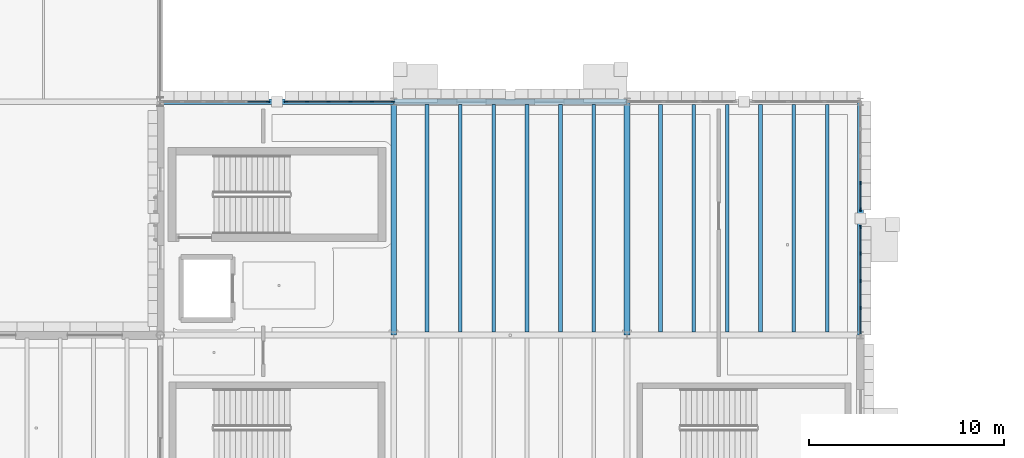
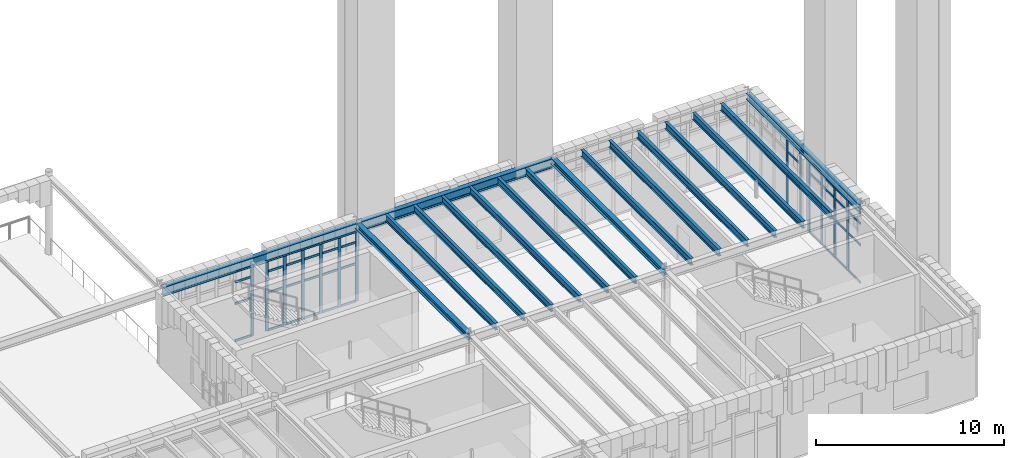
# One storey, part 37 of 103: 56 members, 17 beams, 4 elements without a shape of their own.
"""IFC4 building model written with IfcOpenShell, lengths in metres."""

from ifc_helpers import new_model, si_unit, direction, frame, origin, origin_2d, place, context, subcontext, project, spatial, rectangle, i_section, extrude, material, layer, layer_set, material_profile, profile_set, type_object, element, aggregate, save


model = new_model("IFC4")

# Units and contexts
model_context = context("Model", 3, precision=1e-05, world=origin(), true_north=direction((0.0, 1.0)))
body_context = subcontext(model_context, "Body", "Model", "MODEL_VIEW")
ifc_project = project(units=[si_unit("LENGTHUNIT", "METRE"), si_unit("AREAUNIT", "SQUARE_METRE"), si_unit("VOLUMEUNIT", "CUBIC_METRE"), si_unit("PLANEANGLEUNIT", "RADIAN"), si_unit("MASSUNIT", "GRAM", prefix="KILO")], contexts=[model_context])

# Site, building, storey
site_placement = place(None, origin())
site = spatial("IfcSite", under=ifc_project, at=site_placement, CompositionType="ELEMENT")
building_placement = place(site_placement, origin())
building = spatial("IfcBuilding", under=site, at=building_placement, Name="Zlatogorsky Bluff Art Gallery", CompositionType="ELEMENT")
storey_placement = place(building_placement, origin())
storey = spatial("IfcBuildingStorey", under=building, at=storey_placement, Name="L00", CompositionType="ELEMENT", Elevation=0.0)

# Beams
ifc_material_1 = material(Name="Steel S355", Category="steel")
ifc_material_profile_1 = material_profile(ifc_material_1, i_section(OverallWidth=0.300048828125, OverallDepth=0.590087890625, WebThickness=0.012939453125, FlangeThickness=0.02490234375, FilletRadius=0.027099609375, at=origin_2d()), Name="HEA 600")
ifc_profile_set_1 = profile_set([ifc_material_profile_1], Name="Steel S355")
beam_type_1 = type_object("IfcBeamType", Name="Beam BM-05 HEA 600", PredefinedType="BEAM", material=ifc_profile_set_1)
for number, where, z_axis, x_axis, name in (
    (1, (120.014892578125, 108.0, 4.844970703125), (1.0, 0.0, 0.0), (0.0, 1.0, 0.0), "Primary girder BM-05 L00 L-M/11"),
    (2, (132.014892578125, 108.0, 4.844970703125), (1.0, 0.0, 0.0), (0.0, 1.0, 0.0), "Primary girder BM-05 L00 M-N/11"),
):
    element("IfcBeam", number, at=place(storey_placement, frame(where, z_axis=z_axis, x_axis=x_axis)), inside=storey, type_object=beam_type_1, Name=name, PredefinedType="BEAM", context=body_context, shape_type="SweptSolid", body=[
        extrude(i_section(OverallWidth=0.300048828125, OverallDepth=0.590087890625, WebThickness=0.012939453125, FlangeThickness=0.02490234375, FilletRadius=0.027099609375, at=origin_2d()), origin(), (0.0, 0.0, 1.0), 11.97021484375),
    ])
ifc_material_profile_2 = material_profile(ifc_material_1, i_section(OverallWidth=0.300048828125, OverallDepth=0.389892578125, WebThickness=0.010986328125, FlangeThickness=0.01904296875, FilletRadius=0.027099609375, at=origin_2d()), Name="HEA 400")
ifc_profile_set_2 = profile_set([ifc_material_profile_2], Name="Steel S355")
beam_type_2 = type_object("IfcBeamType", Name="Beam BM-09 HEA 400", PredefinedType="BEAM", material=ifc_profile_set_2)
for number, where, z_axis, x_axis, name in (
    (3, (132.0, 96.014892578125, 4.945068359375), (0.0, 1.0, 0.0), (-1.0, 0.0, 0.0), "Primary girder BM-09 L00 M/10-11"),
    (4, (144.0, 96.014892578125, 4.945068359375), (0.0, 1.0, 0.0), (-1.0, 0.0, 0.0), "Primary girder BM-09 L00 N/10-11"),
    (5, (156.0, 96.014892578125, 4.945068359375), (0.0, 1.0, 0.0), (-1.0, 0.0, 0.0), "Primary girder BM-09 L00 P/10-11"),
):
    element("IfcBeam", number, at=place(storey_placement, frame(where, z_axis=z_axis, x_axis=x_axis)), inside=storey, type_object=beam_type_2, Name=name, PredefinedType="BEAM", context=body_context, shape_type="SweptSolid", body=[
        extrude(i_section(OverallWidth=0.300048828125, OverallDepth=0.389892578125, WebThickness=0.010986328125, FlangeThickness=0.01904296875, FilletRadius=0.027099609375, at=origin_2d()), origin(), (0.0, 0.0, 1.0), 11.97021484375),
    ])
ifc_material_profile_3 = material_profile(ifc_material_1, i_section(OverallWidth=0.18994140625, OverallDepth=0.449951171875, WebThickness=0.009521484375, FlangeThickness=0.0146484375, FilletRadius=0.02099609375, at=origin_2d()), Name="IPE 450")
ifc_profile_set_3 = profile_set([ifc_material_profile_3], Name="Steel S355")
beam_type_3 = type_object("IfcBeamType", Name="Beam JS-06 IPE 450", PredefinedType="JOIST", material=ifc_profile_set_3)
for number, where, z_axis, x_axis, name in (
    (6, (133.71435546875, 96.14990234375, 4.9150390625), (0.0, 1.0, 0.0), (-1.0, 0.0, 0.0), "Composite floor joist JS-06 L00 11.09.1"),
    (7, (135.428466796875, 96.14990234375, 4.9150390625), (0.0, 1.0, 0.0), (-1.0, 0.0, 0.0), "Composite floor joist JS-06 L00 11.09.2"),
    (8, (137.142822265625, 96.14990234375, 4.9150390625), (0.0, 1.0, 0.0), (-1.0, 0.0, 0.0), "Composite floor joist JS-06 L00 11.09.3"),
    (9, (138.857177734375, 96.14990234375, 4.9150390625), (0.0, 1.0, 0.0), (-1.0, 0.0, 0.0), "Composite floor joist JS-06 L00 11.09.4"),
    (10, (140.571533203125, 96.14990234375, 4.9150390625), (0.0, 1.0, 0.0), (-1.0, 0.0, 0.0), "Composite floor joist JS-06 L00 11.09.5"),
    (11, (142.28564453125, 96.14990234375, 4.9150390625), (0.0, 1.0, 0.0), (-1.0, 0.0, 0.0), "Composite floor joist JS-06 L00 11.09.6"),
    (12, (145.71435546875, 96.14990234375, 4.9150390625), (0.0, 1.0, 0.0), (-1.0, 0.0, 0.0), "Composite floor joist JS-06 L00 12.09.1"),
    (13, (147.428466796875, 96.14990234375, 4.9150390625), (0.0, 1.0, 0.0), (-1.0, 0.0, 0.0), "Composite floor joist JS-06 L00 12.09.2"),
    (14, (149.142822265625, 96.14990234375, 4.9150390625), (0.0, 1.0, 0.0), (-1.0, 0.0, 0.0), "Composite floor joist JS-06 L00 12.09.3"),
    (15, (150.857177734375, 96.14990234375, 4.9150390625), (0.0, 1.0, 0.0), (-1.0, 0.0, 0.0), "Composite floor joist JS-06 L00 12.09.4"),
    (16, (152.571533203125, 96.14990234375, 4.9150390625), (0.0, 1.0, 0.0), (-1.0, 0.0, 0.0), "Composite floor joist JS-06 L00 12.09.5"),
    (17, (154.28564453125, 96.14990234375, 4.9150390625), (0.0, 1.0, 0.0), (-1.0, 0.0, 0.0), "Composite floor joist JS-06 L00 12.09.6"),
):
    element("IfcBeam", number, at=place(storey_placement, frame(where, z_axis=z_axis, x_axis=x_axis)), inside=storey, type_object=beam_type_3, Name=name, PredefinedType="JOIST", context=body_context, shape_type="SweptSolid", body=[
        extrude(i_section(OverallWidth=0.18994140625, OverallDepth=0.449951171875, WebThickness=0.009521484375, FlangeThickness=0.0146484375, FilletRadius=0.02099609375, at=origin_2d()), origin(), (0.0, 0.0, 1.0), 11.7001953125),
    ])

# Curtain wall, members
ifc_material_2 = material(Name="Anodised Bronze Aluminium and Low-Iron Triple Glazing", Category="aluminium")
ifc_layer_1 = layer(ifc_material_2, 0.179931640625)
ifc_layer_set_1 = layer_set([ifc_layer_1], Name="Curtain Wall CW-03")
curtain_wall_type_1 = type_object("IfcCurtainWallType", Name="Curtain Wall CW-03", PredefinedType="USERDEFINED", material=ifc_layer_set_1)
curtain_wall_1_placement = place(storey_placement, origin())
curtain_wall_1 = element("IfcCurtainWall", 18, at=curtain_wall_1_placement, inside=storey, type_object=curtain_wall_type_1, Name="Unitised curtain wall CW-03 L00 N 10.9-A", ObjectType="CURTAIN WALL", PredefinedType="USERDEFINED")
ifc_material_3 = material(Name="Anodised Bronze Aluminium", Category="aluminium")
ifc_material_profile_4 = material_profile(ifc_material_3, rectangle(XDim=0.06494140625, YDim=0.179931640625, at=origin_2d()), Name="ALU MULLION 65x180")
ifc_profile_set_4 = profile_set([ifc_material_profile_4], Name="Anodised Bronze Aluminium")
member_type_1 = type_object("IfcMemberType", Name="Curtain Mullion ML-01", PredefinedType="MULLION", material=ifc_profile_set_4)
member_1_placement = place(storey_placement, frame((131.967529296875, 108.0, 0.0), z_axis=(0.0, 0.0, 1.0), x_axis=(0.0, -1.0, 0.0)))
member_1 = element("IfcMember", 19, at=member_1_placement, type_object=member_type_1, Name="CW-03 mullion 1", PredefinedType="MULLION", context=body_context, shape_type="SweptSolid", body=[
    extrude(rectangle(XDim=0.06494140625, YDim=0.179931640625, at=origin_2d()), origin(), (0.0, 0.0, 1.0), 4.56005859375),
])
member_2_placement = place(storey_placement, frame((130.884033203125, 108.0, 0.0), z_axis=(0.0, 0.0, 1.0), x_axis=(0.0, -1.0, 0.0)))
member_2 = element("IfcMember", 20, at=member_2_placement, type_object=member_type_1, Name="CW-03 mullion 2", PredefinedType="MULLION", context=body_context, shape_type="SweptSolid", body=[
    extrude(rectangle(XDim=0.06494140625, YDim=0.179931640625, at=origin_2d()), origin(), (0.0, 0.0, 1.0), 4.56005859375),
])
member_3_placement = place(storey_placement, frame((129.76806640625, 108.0, 0.0), z_axis=(0.0, 0.0, 1.0), x_axis=(0.0, -1.0, 0.0)))
member_3 = element("IfcMember", 21, at=member_3_placement, type_object=member_type_1, Name="CW-03 mullion 3", PredefinedType="MULLION", context=body_context, shape_type="SweptSolid", body=[
    extrude(rectangle(XDim=0.06494140625, YDim=0.179931640625, at=origin_2d()), origin(), (0.0, 0.0, 1.0), 4.56005859375),
])
member_4_placement = place(storey_placement, frame((128.652099609375, 108.0, 0.0), z_axis=(0.0, 0.0, 1.0), x_axis=(0.0, -1.0, 0.0)))
member_4 = element("IfcMember", 22, at=member_4_placement, type_object=member_type_1, Name="CW-03 mullion 4", PredefinedType="MULLION", context=body_context, shape_type="SweptSolid", body=[
    extrude(rectangle(XDim=0.06494140625, YDim=0.179931640625, at=origin_2d()), origin(), (0.0, 0.0, 1.0), 4.56005859375),
])
member_5_placement = place(storey_placement, frame((127.535888671875, 108.0, 0.0), z_axis=(0.0, 0.0, 1.0), x_axis=(0.0, -1.0, 0.0)))
member_5 = element("IfcMember", 23, at=member_5_placement, type_object=member_type_1, Name="CW-03 mullion 5", PredefinedType="MULLION", context=body_context, shape_type="SweptSolid", body=[
    extrude(rectangle(XDim=0.06494140625, YDim=0.179931640625, at=origin_2d()), origin(), (0.0, 0.0, 1.0), 4.56005859375),
])
member_6_placement = place(storey_placement, frame((126.452392578125, 108.0, 0.0), z_axis=(0.0, 0.0, 1.0), x_axis=(0.0, -1.0, 0.0)))
member_6 = element("IfcMember", 24, at=member_6_placement, type_object=member_type_1, Name="CW-03 mullion 6", PredefinedType="MULLION", context=body_context, shape_type="SweptSolid", body=[
    extrude(rectangle(XDim=0.06494140625, YDim=0.179931640625, at=origin_2d()), origin(), (0.0, 0.0, 1.0), 4.56005859375),
])

# Curtain wall, member
curtain_wall_2_placement = place(storey_placement, origin())
curtain_wall_2 = element("IfcCurtainWall", 25, at=curtain_wall_2_placement, inside=storey, type_object=curtain_wall_type_1, Name="Unitised curtain wall CW-03 L00 N 10.9-B", ObjectType="CURTAIN WALL", PredefinedType="USERDEFINED")
member_7_placement = place(storey_placement, frame((125.547607421875, 108.0, 0.0), z_axis=(0.0, 0.0, 1.0), x_axis=(0.0, -1.0, 0.0)))
member_7 = element("IfcMember", 26, at=member_7_placement, type_object=member_type_1, Name="CW-03 mullion 1", PredefinedType="MULLION", context=body_context, shape_type="SweptSolid", body=[
    extrude(rectangle(XDim=0.06494140625, YDim=0.179931640625, at=origin_2d()), origin(), (0.0, 0.0, 1.0), 4.56005859375),
])

# Curtain wall, members
ifc_layer_2 = layer(ifc_material_2, 0.199951171875)
ifc_layer_set_2 = layer_set([ifc_layer_2], Name="Curtain Wall CW-02")
curtain_wall_type_2 = type_object("IfcCurtainWallType", Name="Curtain Wall CW-02", PredefinedType="USERDEFINED", material=ifc_layer_set_2)
curtain_wall_3_placement = place(storey_placement, origin())
curtain_wall_3 = element("IfcCurtainWall", 27, at=curtain_wall_3_placement, inside=storey, type_object=curtain_wall_type_2, Name="Unitised curtain wall CW-02 L00 E 12.9-A", ObjectType="CURTAIN WALL", PredefinedType="USERDEFINED")
member_8_placement = place(storey_placement, frame((156.0, 97.39501953125, 0.0), z_axis=(0.0, 0.0, 1.0), x_axis=(-1.0, 0.0, 0.0)))
member_8 = element("IfcMember", 28, at=member_8_placement, type_object=member_type_1, Name="CW-02 mullion 2", PredefinedType="MULLION", context=body_context, shape_type="SweptSolid", body=[
    extrude(rectangle(XDim=0.06494140625, YDim=0.179931640625, at=origin_2d()), origin(), (0.0, 0.0, 1.0), 4.56005859375),
])
member_9_placement = place(storey_placement, frame((156.0, 98.7900390625, 0.0), z_axis=(0.0, 0.0, 1.0), x_axis=(-1.0, 0.0, 0.0)))
member_9 = element("IfcMember", 29, at=member_9_placement, type_object=member_type_1, Name="CW-02 mullion 3", PredefinedType="MULLION", context=body_context, shape_type="SweptSolid", body=[
    extrude(rectangle(XDim=0.06494140625, YDim=0.179931640625, at=origin_2d()), origin(), (0.0, 0.0, 1.0), 4.56005859375),
])
member_10_placement = place(storey_placement, frame((156.0, 100.18505859375, 0.0), z_axis=(0.0, 0.0, 1.0), x_axis=(-1.0, 0.0, 0.0)))
member_10 = element("IfcMember", 30, at=member_10_placement, type_object=member_type_1, Name="CW-02 mullion 4", PredefinedType="MULLION", context=body_context, shape_type="SweptSolid", body=[
    extrude(rectangle(XDim=0.06494140625, YDim=0.179931640625, at=origin_2d()), origin(), (0.0, 0.0, 1.0), 4.56005859375),
])
member_11_placement = place(storey_placement, frame((156.0, 101.547607421875, 0.0), z_axis=(0.0, 0.0, 1.0), x_axis=(-1.0, 0.0, 0.0)))
member_11 = element("IfcMember", 31, at=member_11_placement, type_object=member_type_1, Name="CW-02 mullion 5", PredefinedType="MULLION", context=body_context, shape_type="SweptSolid", body=[
    extrude(rectangle(XDim=0.06494140625, YDim=0.179931640625, at=origin_2d()), origin(), (0.0, 0.0, 1.0), 4.56005859375),
])

curtain_wall_4_placement = place(storey_placement, origin())
curtain_wall_4 = element("IfcCurtainWall", 32, at=curtain_wall_4_placement, inside=storey, type_object=curtain_wall_type_2, Name="Unitised curtain wall CW-02 L00 E 12.9-B", ObjectType="CURTAIN WALL", PredefinedType="USERDEFINED")
member_12_placement = place(storey_placement, frame((156.0, 102.452392578125, 0.0), z_axis=(0.0, 0.0, 1.0), x_axis=(-1.0, 0.0, 0.0)))
member_12 = element("IfcMember", 33, at=member_12_placement, type_object=member_type_1, Name="CW-02 mullion 1", PredefinedType="MULLION", context=body_context, shape_type="SweptSolid", body=[
    extrude(rectangle(XDim=0.06494140625, YDim=0.179931640625, at=origin_2d()), origin(), (0.0, 0.0, 1.0), 4.56005859375),
])
member_13_placement = place(storey_placement, frame((156.0, 103.81494140625, 0.0), z_axis=(0.0, 0.0, 1.0), x_axis=(-1.0, 0.0, 0.0)))
member_13 = element("IfcMember", 34, at=member_13_placement, type_object=member_type_1, Name="CW-02 mullion 2", PredefinedType="MULLION", context=body_context, shape_type="SweptSolid", body=[
    extrude(rectangle(XDim=0.06494140625, YDim=0.179931640625, at=origin_2d()), origin(), (0.0, 0.0, 1.0), 4.56005859375),
])

# Member
ifc_material_profile_5 = material_profile(ifc_material_3, rectangle(XDim=0.06494140625, YDim=0.139892578125, at=origin_2d()), Name="ALU TRANSOM 65x140")
ifc_profile_set_5 = profile_set([ifc_material_profile_5], Name="Anodised Bronze Aluminium")
member_type_2 = type_object("IfcMemberType", Name="Curtain Transom TR-01", PredefinedType="USERDEFINED", material=ifc_profile_set_5)
member_14_placement = place(storey_placement, frame((131.93505859375, 108.0, 0.032470703125), z_axis=(-1.0, 0.0, 0.0), x_axis=(0.0, -1.0, 0.0)))
member_14 = element("IfcMember", 35, at=member_14_placement, type_object=member_type_2, Name="CW-03 transom 1.1", ObjectType="TRANSOM", PredefinedType="USERDEFINED", context=body_context, shape_type="SweptSolid", body=[
    extrude(rectangle(XDim=0.06494140625, YDim=0.139892578125, at=origin_2d()), origin(), (0.0, 0.0, 1.0), 1.0185546875),
])

member_15_placement = place(storey_placement, frame((131.93505859375, 108.0, 2.449951171875), z_axis=(-1.0, 0.0, 0.0), x_axis=(0.0, -1.0, 0.0)))
member_15 = element("IfcMember", 36, at=member_15_placement, type_object=member_type_2, Name="CW-03 transom 1.2", ObjectType="TRANSOM", PredefinedType="USERDEFINED", context=body_context, shape_type="SweptSolid", body=[
    extrude(rectangle(XDim=0.06494140625, YDim=0.139892578125, at=origin_2d()), origin(), (0.0, 0.0, 1.0), 1.0185546875),
])

member_16_placement = place(storey_placement, frame((131.93505859375, 108.0, 3.85009765625), z_axis=(-1.0, 0.0, 0.0), x_axis=(0.0, -1.0, 0.0)))
member_16 = element("IfcMember", 37, at=member_16_placement, type_object=member_type_2, Name="CW-03 transom 1.3", ObjectType="TRANSOM", PredefinedType="USERDEFINED", context=body_context, shape_type="SweptSolid", body=[
    extrude(rectangle(XDim=0.06494140625, YDim=0.139892578125, at=origin_2d()), origin(), (0.0, 0.0, 1.0), 1.0185546875),
])

member_17_placement = place(storey_placement, frame((131.93505859375, 108.0, 4.527587890625), z_axis=(-1.0, 0.0, 0.0), x_axis=(0.0, -1.0, 0.0)))
member_17 = element("IfcMember", 38, at=member_17_placement, type_object=member_type_2, Name="CW-03 transom 1.4", ObjectType="TRANSOM", PredefinedType="USERDEFINED", context=body_context, shape_type="SweptSolid", body=[
    extrude(rectangle(XDim=0.06494140625, YDim=0.139892578125, at=origin_2d()), origin(), (0.0, 0.0, 1.0), 1.0185546875),
])

member_18_placement = place(storey_placement, frame((130.8515625, 108.0, 0.032470703125), z_axis=(-1.0, 0.0, 0.0), x_axis=(0.0, -1.0, 0.0)))
member_18 = element("IfcMember", 39, at=member_18_placement, type_object=member_type_2, Name="CW-03 transom 2.1", ObjectType="TRANSOM", PredefinedType="USERDEFINED", context=body_context, shape_type="SweptSolid", body=[
    extrude(rectangle(XDim=0.06494140625, YDim=0.139892578125, at=origin_2d()), origin(), (0.0, 0.0, 1.0), 1.051025390625),
])

member_19_placement = place(storey_placement, frame((130.8515625, 108.0, 2.449951171875), z_axis=(-1.0, 0.0, 0.0), x_axis=(0.0, -1.0, 0.0)))
member_19 = element("IfcMember", 40, at=member_19_placement, type_object=member_type_2, Name="CW-03 transom 2.2", ObjectType="TRANSOM", PredefinedType="USERDEFINED", context=body_context, shape_type="SweptSolid", body=[
    extrude(rectangle(XDim=0.06494140625, YDim=0.139892578125, at=origin_2d()), origin(), (0.0, 0.0, 1.0), 1.051025390625),
])

member_20_placement = place(storey_placement, frame((130.8515625, 108.0, 3.85009765625), z_axis=(-1.0, 0.0, 0.0), x_axis=(0.0, -1.0, 0.0)))
member_20 = element("IfcMember", 41, at=member_20_placement, type_object=member_type_2, Name="CW-03 transom 2.3", ObjectType="TRANSOM", PredefinedType="USERDEFINED", context=body_context, shape_type="SweptSolid", body=[
    extrude(rectangle(XDim=0.06494140625, YDim=0.139892578125, at=origin_2d()), origin(), (0.0, 0.0, 1.0), 1.051025390625),
])

member_21_placement = place(storey_placement, frame((130.8515625, 108.0, 4.527587890625), z_axis=(-1.0, 0.0, 0.0), x_axis=(0.0, -1.0, 0.0)))
member_21 = element("IfcMember", 42, at=member_21_placement, type_object=member_type_2, Name="CW-03 transom 2.4", ObjectType="TRANSOM", PredefinedType="USERDEFINED", context=body_context, shape_type="SweptSolid", body=[
    extrude(rectangle(XDim=0.06494140625, YDim=0.139892578125, at=origin_2d()), origin(), (0.0, 0.0, 1.0), 1.051025390625),
])

member_22_placement = place(storey_placement, frame((129.735595703125, 108.0, 0.032470703125), z_axis=(-1.0, 0.0, 0.0), x_axis=(0.0, -1.0, 0.0)))
member_22 = element("IfcMember", 43, at=member_22_placement, type_object=member_type_2, Name="CW-03 transom 3.1", ObjectType="TRANSOM", PredefinedType="USERDEFINED", context=body_context, shape_type="SweptSolid", body=[
    extrude(rectangle(XDim=0.06494140625, YDim=0.139892578125, at=origin_2d()), origin(), (0.0, 0.0, 1.0), 1.051025390625),
])

member_23_placement = place(storey_placement, frame((129.735595703125, 108.0, 2.449951171875), z_axis=(-1.0, 0.0, 0.0), x_axis=(0.0, -1.0, 0.0)))
member_23 = element("IfcMember", 44, at=member_23_placement, type_object=member_type_2, Name="CW-03 transom 3.2", ObjectType="TRANSOM", PredefinedType="USERDEFINED", context=body_context, shape_type="SweptSolid", body=[
    extrude(rectangle(XDim=0.06494140625, YDim=0.139892578125, at=origin_2d()), origin(), (0.0, 0.0, 1.0), 1.051025390625),
])

member_24_placement = place(storey_placement, frame((129.735595703125, 108.0, 3.85009765625), z_axis=(-1.0, 0.0, 0.0), x_axis=(0.0, -1.0, 0.0)))
member_24 = element("IfcMember", 45, at=member_24_placement, type_object=member_type_2, Name="CW-03 transom 3.3", ObjectType="TRANSOM", PredefinedType="USERDEFINED", context=body_context, shape_type="SweptSolid", body=[
    extrude(rectangle(XDim=0.06494140625, YDim=0.139892578125, at=origin_2d()), origin(), (0.0, 0.0, 1.0), 1.051025390625),
])

member_25_placement = place(storey_placement, frame((129.735595703125, 108.0, 4.527587890625), z_axis=(-1.0, 0.0, 0.0), x_axis=(0.0, -1.0, 0.0)))
member_25 = element("IfcMember", 46, at=member_25_placement, type_object=member_type_2, Name="CW-03 transom 3.4", ObjectType="TRANSOM", PredefinedType="USERDEFINED", context=body_context, shape_type="SweptSolid", body=[
    extrude(rectangle(XDim=0.06494140625, YDim=0.139892578125, at=origin_2d()), origin(), (0.0, 0.0, 1.0), 1.051025390625),
])

member_26_placement = place(storey_placement, frame((128.619384765625, 108.0, 0.032470703125), z_axis=(-1.0, 0.0, 0.0), x_axis=(0.0, -1.0, 0.0)))
member_26 = element("IfcMember", 47, at=member_26_placement, type_object=member_type_2, Name="CW-03 transom 4.1", ObjectType="TRANSOM", PredefinedType="USERDEFINED", context=body_context, shape_type="SweptSolid", body=[
    extrude(rectangle(XDim=0.06494140625, YDim=0.139892578125, at=origin_2d()), origin(), (0.0, 0.0, 1.0), 1.05078125),
])

member_27_placement = place(storey_placement, frame((128.619384765625, 108.0, 2.449951171875), z_axis=(-1.0, 0.0, 0.0), x_axis=(0.0, -1.0, 0.0)))
member_27 = element("IfcMember", 48, at=member_27_placement, type_object=member_type_2, Name="CW-03 transom 4.2", ObjectType="TRANSOM", PredefinedType="USERDEFINED", context=body_context, shape_type="SweptSolid", body=[
    extrude(rectangle(XDim=0.06494140625, YDim=0.139892578125, at=origin_2d()), origin(), (0.0, 0.0, 1.0), 1.05078125),
])

member_28_placement = place(storey_placement, frame((128.619384765625, 108.0, 3.85009765625), z_axis=(-1.0, 0.0, 0.0), x_axis=(0.0, -1.0, 0.0)))
member_28 = element("IfcMember", 49, at=member_28_placement, type_object=member_type_2, Name="CW-03 transom 4.3", ObjectType="TRANSOM", PredefinedType="USERDEFINED", context=body_context, shape_type="SweptSolid", body=[
    extrude(rectangle(XDim=0.06494140625, YDim=0.139892578125, at=origin_2d()), origin(), (0.0, 0.0, 1.0), 1.05078125),
])

member_29_placement = place(storey_placement, frame((128.619384765625, 108.0, 4.527587890625), z_axis=(-1.0, 0.0, 0.0), x_axis=(0.0, -1.0, 0.0)))
member_29 = element("IfcMember", 50, at=member_29_placement, type_object=member_type_2, Name="CW-03 transom 4.4", ObjectType="TRANSOM", PredefinedType="USERDEFINED", context=body_context, shape_type="SweptSolid", body=[
    extrude(rectangle(XDim=0.06494140625, YDim=0.139892578125, at=origin_2d()), origin(), (0.0, 0.0, 1.0), 1.05078125),
])

member_30_placement = place(storey_placement, frame((127.50341796875, 108.0, 0.032470703125), z_axis=(-1.0, 0.0, 0.0), x_axis=(0.0, -1.0, 0.0)))
member_30 = element("IfcMember", 51, at=member_30_placement, type_object=member_type_2, Name="CW-03 transom 5.1", ObjectType="TRANSOM", PredefinedType="USERDEFINED", context=body_context, shape_type="SweptSolid", body=[
    extrude(rectangle(XDim=0.06494140625, YDim=0.139892578125, at=origin_2d()), origin(), (0.0, 0.0, 1.0), 1.018310546875),
])

member_31_placement = place(storey_placement, frame((127.50341796875, 108.0, 2.449951171875), z_axis=(-1.0, 0.0, 0.0), x_axis=(0.0, -1.0, 0.0)))
member_31 = element("IfcMember", 52, at=member_31_placement, type_object=member_type_2, Name="CW-03 transom 5.2", ObjectType="TRANSOM", PredefinedType="USERDEFINED", context=body_context, shape_type="SweptSolid", body=[
    extrude(rectangle(XDim=0.06494140625, YDim=0.139892578125, at=origin_2d()), origin(), (0.0, 0.0, 1.0), 1.018310546875),
])

member_32_placement = place(storey_placement, frame((127.50341796875, 108.0, 3.85009765625), z_axis=(-1.0, 0.0, 0.0), x_axis=(0.0, -1.0, 0.0)))
member_32 = element("IfcMember", 53, at=member_32_placement, type_object=member_type_2, Name="CW-03 transom 5.3", ObjectType="TRANSOM", PredefinedType="USERDEFINED", context=body_context, shape_type="SweptSolid", body=[
    extrude(rectangle(XDim=0.06494140625, YDim=0.139892578125, at=origin_2d()), origin(), (0.0, 0.0, 1.0), 1.018310546875),
])

member_33_placement = place(storey_placement, frame((127.50341796875, 108.0, 4.527587890625), z_axis=(-1.0, 0.0, 0.0), x_axis=(0.0, -1.0, 0.0)))
member_33 = element("IfcMember", 54, at=member_33_placement, type_object=member_type_2, Name="CW-03 transom 5.4", ObjectType="TRANSOM", PredefinedType="USERDEFINED", context=body_context, shape_type="SweptSolid", body=[
    extrude(rectangle(XDim=0.06494140625, YDim=0.139892578125, at=origin_2d()), origin(), (0.0, 0.0, 1.0), 1.018310546875),
])

aggregate(curtain_wall_1, [member_1, member_2, member_3, member_4, member_5, member_6, member_14, member_15, member_16, member_17, member_18, member_19, member_20, member_21, member_22, member_23, member_24, member_25, member_26, member_27, member_28, member_29, member_30, member_31, member_32, member_33])

member_34_placement = place(storey_placement, frame((125.514892578125, 108.0, 0.032470703125), z_axis=(-1.0, 0.0, 0.0), x_axis=(0.0, -1.0, 0.0)))
member_34 = element("IfcMember", 55, at=member_34_placement, type_object=member_type_2, Name="CW-03 transom 1.1", ObjectType="TRANSOM", PredefinedType="USERDEFINED", context=body_context, shape_type="SweptSolid", body=[
    extrude(rectangle(XDim=0.06494140625, YDim=0.139892578125, at=origin_2d()), origin(), (0.0, 0.0, 1.0), 1.018310546875),
])

member_35_placement = place(storey_placement, frame((125.514892578125, 108.0, 2.449951171875), z_axis=(-1.0, 0.0, 0.0), x_axis=(0.0, -1.0, 0.0)))
member_35 = element("IfcMember", 56, at=member_35_placement, type_object=member_type_2, Name="CW-03 transom 1.2", ObjectType="TRANSOM", PredefinedType="USERDEFINED", context=body_context, shape_type="SweptSolid", body=[
    extrude(rectangle(XDim=0.06494140625, YDim=0.139892578125, at=origin_2d()), origin(), (0.0, 0.0, 1.0), 1.018310546875),
])

member_36_placement = place(storey_placement, frame((125.514892578125, 108.0, 3.85009765625), z_axis=(-1.0, 0.0, 0.0), x_axis=(0.0, -1.0, 0.0)))
member_36 = element("IfcMember", 57, at=member_36_placement, type_object=member_type_2, Name="CW-03 transom 1.3", ObjectType="TRANSOM", PredefinedType="USERDEFINED", context=body_context, shape_type="SweptSolid", body=[
    extrude(rectangle(XDim=0.06494140625, YDim=0.139892578125, at=origin_2d()), origin(), (0.0, 0.0, 1.0), 1.018310546875),
])

member_37_placement = place(storey_placement, frame((125.514892578125, 108.0, 4.527587890625), z_axis=(-1.0, 0.0, 0.0), x_axis=(0.0, -1.0, 0.0)))
member_37 = element("IfcMember", 58, at=member_37_placement, type_object=member_type_2, Name="CW-03 transom 1.4", ObjectType="TRANSOM", PredefinedType="USERDEFINED", context=body_context, shape_type="SweptSolid", body=[
    extrude(rectangle(XDim=0.06494140625, YDim=0.139892578125, at=origin_2d()), origin(), (0.0, 0.0, 1.0), 1.018310546875),
])

aggregate(curtain_wall_2, [member_7, member_34, member_35, member_36, member_37])

member_38_placement = place(storey_placement, frame((156.0, 96.06494140625, 0.032470703125), z_axis=(0.0, 1.0, 0.0), x_axis=(-1.0, 0.0, 0.0)))
member_38 = element("IfcMember", 59, at=member_38_placement, type_object=member_type_2, Name="CW-02 transom 1.1", ObjectType="TRANSOM", PredefinedType="USERDEFINED", context=body_context, shape_type="SweptSolid", body=[
    extrude(rectangle(XDim=0.06494140625, YDim=0.139892578125, at=origin_2d()), origin(), (0.0, 0.0, 1.0), 1.297607421875),
])

member_39_placement = place(storey_placement, frame((156.0, 96.06494140625, 2.449951171875), z_axis=(0.0, 1.0, 0.0), x_axis=(-1.0, 0.0, 0.0)))
member_39 = element("IfcMember", 60, at=member_39_placement, type_object=member_type_2, Name="CW-02 transom 1.2", ObjectType="TRANSOM", PredefinedType="USERDEFINED", context=body_context, shape_type="SweptSolid", body=[
    extrude(rectangle(XDim=0.06494140625, YDim=0.139892578125, at=origin_2d()), origin(), (0.0, 0.0, 1.0), 1.297607421875),
])

member_40_placement = place(storey_placement, frame((156.0, 96.06494140625, 3.85009765625), z_axis=(0.0, 1.0, 0.0), x_axis=(-1.0, 0.0, 0.0)))
member_40 = element("IfcMember", 61, at=member_40_placement, type_object=member_type_2, Name="CW-02 transom 1.3", ObjectType="TRANSOM", PredefinedType="USERDEFINED", context=body_context, shape_type="SweptSolid", body=[
    extrude(rectangle(XDim=0.06494140625, YDim=0.139892578125, at=origin_2d()), origin(), (0.0, 0.0, 1.0), 1.297607421875),
])

member_41_placement = place(storey_placement, frame((156.0, 96.06494140625, 4.527587890625), z_axis=(0.0, 1.0, 0.0), x_axis=(-1.0, 0.0, 0.0)))
member_41 = element("IfcMember", 62, at=member_41_placement, type_object=member_type_2, Name="CW-02 transom 1.4", ObjectType="TRANSOM", PredefinedType="USERDEFINED", context=body_context, shape_type="SweptSolid", body=[
    extrude(rectangle(XDim=0.06494140625, YDim=0.139892578125, at=origin_2d()), origin(), (0.0, 0.0, 1.0), 1.297607421875),
])

member_42_placement = place(storey_placement, frame((156.0, 97.427490234375, 0.032470703125), z_axis=(0.0, 1.0, 0.0), x_axis=(-1.0, 0.0, 0.0)))
member_42 = element("IfcMember", 63, at=member_42_placement, type_object=member_type_2, Name="CW-02 transom 2.1", ObjectType="TRANSOM", PredefinedType="USERDEFINED", context=body_context, shape_type="SweptSolid", body=[
    extrude(rectangle(XDim=0.06494140625, YDim=0.139892578125, at=origin_2d()), origin(), (0.0, 0.0, 1.0), 1.330078125),
])

member_43_placement = place(storey_placement, frame((156.0, 97.427490234375, 2.449951171875), z_axis=(0.0, 1.0, 0.0), x_axis=(-1.0, 0.0, 0.0)))
member_43 = element("IfcMember", 64, at=member_43_placement, type_object=member_type_2, Name="CW-02 transom 2.2", ObjectType="TRANSOM", PredefinedType="USERDEFINED", context=body_context, shape_type="SweptSolid", body=[
    extrude(rectangle(XDim=0.06494140625, YDim=0.139892578125, at=origin_2d()), origin(), (0.0, 0.0, 1.0), 1.330078125),
])

member_44_placement = place(storey_placement, frame((156.0, 97.427490234375, 3.85009765625), z_axis=(0.0, 1.0, 0.0), x_axis=(-1.0, 0.0, 0.0)))
member_44 = element("IfcMember", 65, at=member_44_placement, type_object=member_type_2, Name="CW-02 transom 2.3", ObjectType="TRANSOM", PredefinedType="USERDEFINED", context=body_context, shape_type="SweptSolid", body=[
    extrude(rectangle(XDim=0.06494140625, YDim=0.139892578125, at=origin_2d()), origin(), (0.0, 0.0, 1.0), 1.330078125),
])

member_45_placement = place(storey_placement, frame((156.0, 97.427490234375, 4.527587890625), z_axis=(0.0, 1.0, 0.0), x_axis=(-1.0, 0.0, 0.0)))
member_45 = element("IfcMember", 66, at=member_45_placement, type_object=member_type_2, Name="CW-02 transom 2.4", ObjectType="TRANSOM", PredefinedType="USERDEFINED", context=body_context, shape_type="SweptSolid", body=[
    extrude(rectangle(XDim=0.06494140625, YDim=0.139892578125, at=origin_2d()), origin(), (0.0, 0.0, 1.0), 1.330078125),
])

member_46_placement = place(storey_placement, frame((156.0, 98.822509765625, 0.032470703125), z_axis=(0.0, 1.0, 0.0), x_axis=(-1.0, 0.0, 0.0)))
member_46 = element("IfcMember", 67, at=member_46_placement, type_object=member_type_2, Name="CW-02 transom 3.1", ObjectType="TRANSOM", PredefinedType="USERDEFINED", context=body_context, shape_type="SweptSolid", body=[
    extrude(rectangle(XDim=0.06494140625, YDim=0.139892578125, at=origin_2d()), origin(), (0.0, 0.0, 1.0), 1.330078125),
])

member_47_placement = place(storey_placement, frame((156.0, 98.822509765625, 2.449951171875), z_axis=(0.0, 1.0, 0.0), x_axis=(-1.0, 0.0, 0.0)))
member_47 = element("IfcMember", 68, at=member_47_placement, type_object=member_type_2, Name="CW-02 transom 3.2", ObjectType="TRANSOM", PredefinedType="USERDEFINED", context=body_context, shape_type="SweptSolid", body=[
    extrude(rectangle(XDim=0.06494140625, YDim=0.139892578125, at=origin_2d()), origin(), (0.0, 0.0, 1.0), 1.330078125),
])

member_48_placement = place(storey_placement, frame((156.0, 98.822509765625, 3.85009765625), z_axis=(0.0, 1.0, 0.0), x_axis=(-1.0, 0.0, 0.0)))
member_48 = element("IfcMember", 69, at=member_48_placement, type_object=member_type_2, Name="CW-02 transom 3.3", ObjectType="TRANSOM", PredefinedType="USERDEFINED", context=body_context, shape_type="SweptSolid", body=[
    extrude(rectangle(XDim=0.06494140625, YDim=0.139892578125, at=origin_2d()), origin(), (0.0, 0.0, 1.0), 1.330078125),
])

member_49_placement = place(storey_placement, frame((156.0, 98.822509765625, 4.527587890625), z_axis=(0.0, 1.0, 0.0), x_axis=(-1.0, 0.0, 0.0)))
member_49 = element("IfcMember", 70, at=member_49_placement, type_object=member_type_2, Name="CW-02 transom 3.4", ObjectType="TRANSOM", PredefinedType="USERDEFINED", context=body_context, shape_type="SweptSolid", body=[
    extrude(rectangle(XDim=0.06494140625, YDim=0.139892578125, at=origin_2d()), origin(), (0.0, 0.0, 1.0), 1.330078125),
])

member_50_placement = place(storey_placement, frame((156.0, 100.217529296875, 0.032470703125), z_axis=(0.0, 1.0, 0.0), x_axis=(-1.0, 0.0, 0.0)))
member_50 = element("IfcMember", 71, at=member_50_placement, type_object=member_type_2, Name="CW-02 transom 4.1", ObjectType="TRANSOM", PredefinedType="USERDEFINED", context=body_context, shape_type="SweptSolid", body=[
    extrude(rectangle(XDim=0.06494140625, YDim=0.139892578125, at=origin_2d()), origin(), (0.0, 0.0, 1.0), 1.29736328125),
])

member_51_placement = place(storey_placement, frame((156.0, 100.217529296875, 2.449951171875), z_axis=(0.0, 1.0, 0.0), x_axis=(-1.0, 0.0, 0.0)))
member_51 = element("IfcMember", 72, at=member_51_placement, type_object=member_type_2, Name="CW-02 transom 4.2", ObjectType="TRANSOM", PredefinedType="USERDEFINED", context=body_context, shape_type="SweptSolid", body=[
    extrude(rectangle(XDim=0.06494140625, YDim=0.139892578125, at=origin_2d()), origin(), (0.0, 0.0, 1.0), 1.29736328125),
])

member_52_placement = place(storey_placement, frame((156.0, 100.217529296875, 3.85009765625), z_axis=(0.0, 1.0, 0.0), x_axis=(-1.0, 0.0, 0.0)))
member_52 = element("IfcMember", 73, at=member_52_placement, type_object=member_type_2, Name="CW-02 transom 4.3", ObjectType="TRANSOM", PredefinedType="USERDEFINED", context=body_context, shape_type="SweptSolid", body=[
    extrude(rectangle(XDim=0.06494140625, YDim=0.139892578125, at=origin_2d()), origin(), (0.0, 0.0, 1.0), 1.29736328125),
])

member_53_placement = place(storey_placement, frame((156.0, 100.217529296875, 4.527587890625), z_axis=(0.0, 1.0, 0.0), x_axis=(-1.0, 0.0, 0.0)))
member_53 = element("IfcMember", 74, at=member_53_placement, type_object=member_type_2, Name="CW-02 transom 4.4", ObjectType="TRANSOM", PredefinedType="USERDEFINED", context=body_context, shape_type="SweptSolid", body=[
    extrude(rectangle(XDim=0.06494140625, YDim=0.139892578125, at=origin_2d()), origin(), (0.0, 0.0, 1.0), 1.29736328125),
])

aggregate(curtain_wall_3, [member_8, member_9, member_10, member_11, member_38, member_39, member_40, member_41, member_42, member_43, member_44, member_45, member_46, member_47, member_48, member_49, member_50, member_51, member_52, member_53])

member_54_placement = place(storey_placement, frame((156.0, 102.485107421875, 0.032470703125), z_axis=(0.0, 1.0, 0.0), x_axis=(-1.0, 0.0, 0.0)))
member_54 = element("IfcMember", 75, at=member_54_placement, type_object=member_type_2, Name="CW-02 transom 1.1", ObjectType="TRANSOM", PredefinedType="USERDEFINED", context=body_context, shape_type="SweptSolid", body=[
    extrude(rectangle(XDim=0.06494140625, YDim=0.139892578125, at=origin_2d()), origin(), (0.0, 0.0, 1.0), 1.29736328125),
])

member_55_placement = place(storey_placement, frame((156.0, 102.485107421875, 2.449951171875), z_axis=(0.0, 1.0, 0.0), x_axis=(-1.0, 0.0, 0.0)))
member_55 = element("IfcMember", 76, at=member_55_placement, type_object=member_type_2, Name="CW-02 transom 1.2", ObjectType="TRANSOM", PredefinedType="USERDEFINED", context=body_context, shape_type="SweptSolid", body=[
    extrude(rectangle(XDim=0.06494140625, YDim=0.139892578125, at=origin_2d()), origin(), (0.0, 0.0, 1.0), 1.29736328125),
])

member_56_placement = place(storey_placement, frame((156.0, 102.485107421875, 3.85009765625), z_axis=(0.0, 1.0, 0.0), x_axis=(-1.0, 0.0, 0.0)))
member_56 = element("IfcMember", 77, at=member_56_placement, type_object=member_type_2, Name="CW-02 transom 1.3", ObjectType="TRANSOM", PredefinedType="USERDEFINED", context=body_context, shape_type="SweptSolid", body=[
    extrude(rectangle(XDim=0.06494140625, YDim=0.139892578125, at=origin_2d()), origin(), (0.0, 0.0, 1.0), 1.29736328125),
])

aggregate(curtain_wall_4, [member_12, member_13, member_54, member_55, member_56])

save(model, "model.ifc")
